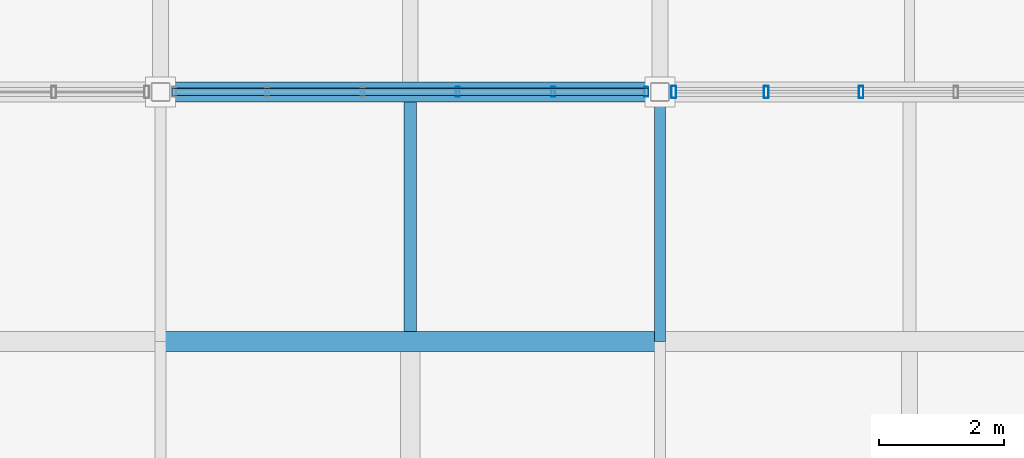
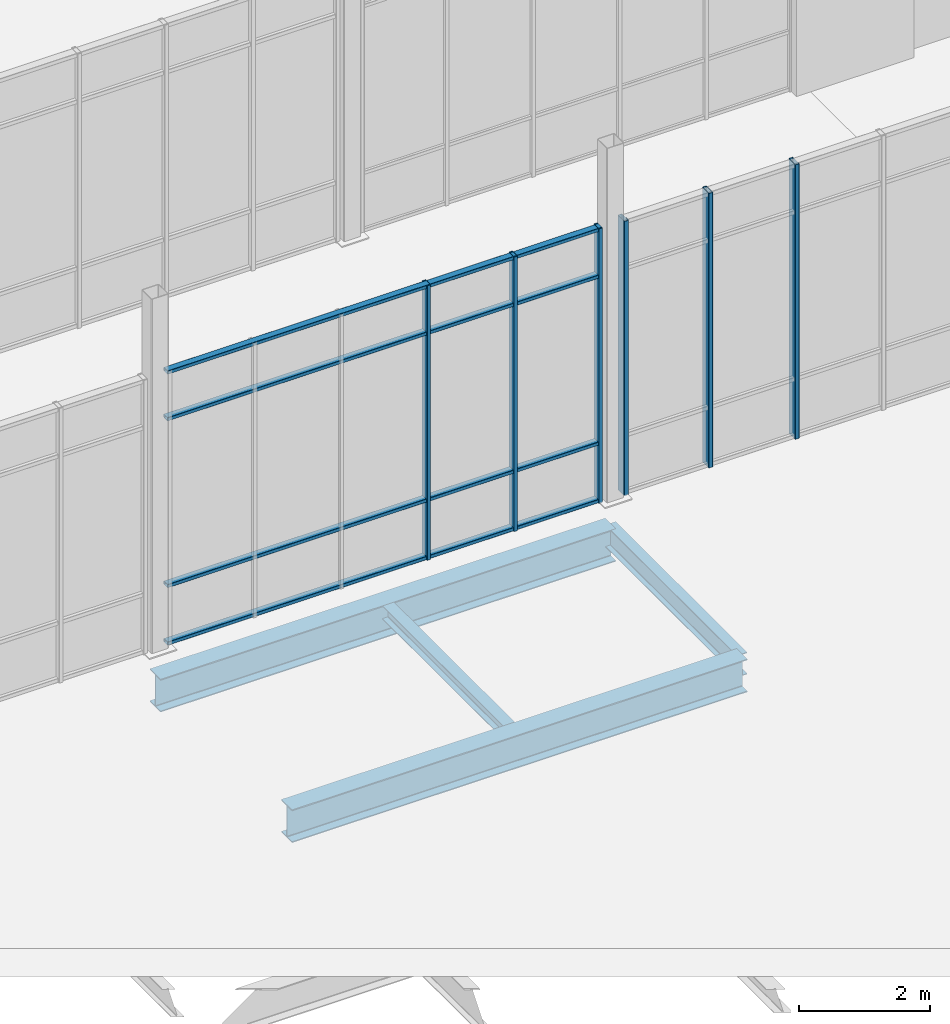
# One storey, part 50 of 140: 10 members, 4 beams, 2 elements without a shape of their own.
"""IFC4 building model written with IfcOpenShell, lengths in metres."""

from ifc_helpers import new_model, si_unit, direction, frame, origin, origin_2d, place, context, subcontext, project, spatial, hollow_rectangle, i_section, extrude, material, material_profile, profile_set, type_object, element, aggregate, save


model = new_model("IFC4")

# Units and contexts
model_context = context("Model", 3, precision=1e-05, world=origin(), true_north=direction((0.0, 1.0)))
body_context = subcontext(model_context, "Body", "Model", "MODEL_VIEW")
ifc_project = project(units=[si_unit("LENGTHUNIT", "METRE"), si_unit("AREAUNIT", "SQUARE_METRE"), si_unit("VOLUMEUNIT", "CUBIC_METRE"), si_unit("PLANEANGLEUNIT", "RADIAN"), si_unit("MASSUNIT", "GRAM", prefix="KILO")], contexts=[model_context])

# Site, building, storey
site_placement = place(None, origin())
site = spatial("IfcSite", under=ifc_project, at=site_placement, CompositionType="ELEMENT")
building_placement = place(site_placement, origin())
building = spatial("IfcBuilding", under=site, at=building_placement, Name="Verrall Gate Interchange", CompositionType="ELEMENT")
storey_placement = place(building_placement, origin())
storey = spatial("IfcBuildingStorey", under=building, at=storey_placement, Name="L01", CompositionType="ELEMENT", Elevation=0.0)

# Beams
ifc_material_1 = material(Name="Structural Steel CSA G40.21 350WT Cat 4", Category="steel")
ifc_material_profile_1 = material_profile(ifc_material_1, i_section(OverallWidth=0.323974609375, OverallDepth=0.611083984375, WebThickness=0.0126953125, FlangeThickness=0.01904296875, FilletRadius=0.014892578125, at=origin_2d()), Name="W610x155")
ifc_profile_set_1 = profile_set([ifc_material_profile_1], Name="Structural Steel CSA G40.21 350WT Cat 4")
beam_type_1 = type_object("IfcBeamType", Name="B-08 Structural Beam W610x155", PredefinedType="BEAM", material=ifc_profile_set_1)
for number, where, z_axis, x_axis, name in (
    (1, (116.0, 44.0, -0.805419921875), (1.0, 0.0, 0.0), (0.0, 1.0, 0.0), "L01 Girder BM-L01-0902 (B-08)"),
    (2, (116.0, 48.0, -0.805419921875), (1.0, 0.0, 0.0), (0.0, 1.0, 0.0), "L01 Girder BM-L01-0927 (B-08)"),
):
    element("IfcBeam", number, at=place(storey_placement, frame(where, z_axis=z_axis, x_axis=x_axis)), inside=storey, type_object=beam_type_1, Name=name, PredefinedType="BEAM", context=body_context, shape_type="SweptSolid", body=[
        extrude(i_section(OverallWidth=0.323974609375, OverallDepth=0.611083984375, WebThickness=0.0126953125, FlangeThickness=0.01904296875, FilletRadius=0.014892578125, at=origin_2d()), origin(), (0.0, 0.0, 1.0), 8.0),
    ])
ifc_material_2 = material(Name="Structural Steel CSA G40.21 350W", Category="steel")
ifc_material_profile_2 = material_profile(ifc_material_2, i_section(OverallWidth=0.178955078125, OverallDepth=0.409912109375, WebThickness=0.0087890625, FlangeThickness=0.014404296875, FilletRadius=0.011962890625, at=origin_2d()), Name="W410x67")
ifc_profile_set_2 = profile_set([ifc_material_profile_2], Name="Structural Steel CSA G40.21 350W")
beam_type_2 = type_object("IfcBeamType", Name="B-12 Structural Beam W410x67", PredefinedType="BEAM", material=ifc_profile_set_2)
beam_1_placement = place(storey_placement, frame((124.0, 44.0, -0.705078125), z_axis=(0.0, 1.0, 0.0), x_axis=(-1.0, 0.0, 0.0)))
element("IfcBeam", 3, at=beam_1_placement, inside=storey, type_object=beam_type_2, Name="L01 Girder BM-L01-1193 (B-12)", PredefinedType="BEAM", context=body_context, shape_type="SweptSolid", body=[
    extrude(i_section(OverallWidth=0.178955078125, OverallDepth=0.409912109375, WebThickness=0.0087890625, FlangeThickness=0.014404296875, FilletRadius=0.011962890625, at=origin_2d()), origin(), (0.0, 0.0, 1.0), 4.0),
])

# Curtain wall, members
ifc_material_3 = material(Name="Thermally Broken Anodized Aluminium Curtain Wall Framing", Category="aluminium")
curtain_wall_type = type_object("IfcCurtainWallType", Name="CW-06 Unitized Curtain Wall 7631x5100", PredefinedType="NOTDEFINED", material=ifc_material_3)
curtain_wall_1_placement = place(storey_placement, origin())
curtain_wall_1 = element("IfcCurtainWall", 4, at=curtain_wall_1_placement, inside=storey, type_object=curtain_wall_type, Name="L01 Unitized Curtain Wall CW-L01-010", PredefinedType="NOTDEFINED")
ifc_material_4 = material(Name="Thermally Broken Anodized Aluminium Curtain Wall Framing", Category="aluminium")
ifc_material_profile_3 = material_profile(ifc_material_4, hollow_rectangle(XDim=0.06494140625, YDim=0.159912109375, WallThickness=0.00390625, InnerFilletRadius=0.00390625, OuterFilletRadius=0.008056640625, at=origin_2d()), Name="CWM160x65x4")
ifc_profile_set_3 = profile_set([ifc_material_profile_3], Name="Thermally Broken Anodized Aluminium Curtain Wall Framing")
member_type_1 = type_object("IfcMemberType", Name="CM-01 Curtain Mullion CWM160x65x4", PredefinedType="MULLION", material=ifc_profile_set_3)
member_1_placement = place(storey_placement, frame((120.76318359375, 48.0, 0.0), z_axis=(0.0, 0.0, 1.0), x_axis=(1.0, 0.0, 0.0)))
member_1 = element("IfcMember", 5, at=member_1_placement, type_object=member_type_1, Name="CW-L01-010 Mullion 4", PredefinedType="MULLION", context=body_context, shape_type="SweptSolid", body=[
    extrude(hollow_rectangle(XDim=0.06494140625, YDim=0.159912109375, WallThickness=0.00390625, InnerFilletRadius=0.00390625, OuterFilletRadius=0.008056640625, at=origin_2d()), origin(), (0.0, 0.0, 1.0), 5.10009765625),
])
member_2_placement = place(storey_placement, frame((122.289306640625, 48.0, 0.0), z_axis=(0.0, 0.0, 1.0), x_axis=(1.0, 0.0, 0.0)))
member_2 = element("IfcMember", 6, at=member_2_placement, type_object=member_type_1, Name="CW-L01-010 Mullion 5", PredefinedType="MULLION", context=body_context, shape_type="SweptSolid", body=[
    extrude(hollow_rectangle(XDim=0.06494140625, YDim=0.159912109375, WallThickness=0.00390625, InnerFilletRadius=0.00390625, OuterFilletRadius=0.008056640625, at=origin_2d()), origin(), (0.0, 0.0, 1.0), 5.10009765625),
])
member_3_placement = place(storey_placement, frame((123.782958984375, 48.0, 0.0), z_axis=(0.0, 0.0, 1.0), x_axis=(1.0, 0.0, 0.0)))
member_3 = element("IfcMember", 7, at=member_3_placement, type_object=member_type_1, Name="CW-L01-010 Mullion 6", PredefinedType="MULLION", context=body_context, shape_type="SweptSolid", body=[
    extrude(hollow_rectangle(XDim=0.06494140625, YDim=0.159912109375, WallThickness=0.00390625, InnerFilletRadius=0.00390625, OuterFilletRadius=0.008056640625, at=origin_2d()), origin(), (0.0, 0.0, 1.0), 5.10009765625),
])

curtain_wall_2_placement = place(storey_placement, origin())
curtain_wall_2 = element("IfcCurtainWall", 8, at=curtain_wall_2_placement, inside=storey, type_object=curtain_wall_type, Name="L01 Unitized Curtain Wall CW-L01-011", PredefinedType="NOTDEFINED")
ifc_material_5 = material(Name="Thermally Broken Anodized Aluminium Curtain Wall Framing", Category="aluminium")
ifc_material_profile_4 = material_profile(ifc_material_5, hollow_rectangle(XDim=0.074951171875, YDim=0.199951171875, WallThickness=0.0048828125, InnerFilletRadius=0.0048828125, OuterFilletRadius=0.010009765625, at=origin_2d()), Name="CWM200x75x5")
ifc_profile_set_4 = profile_set([ifc_material_profile_4], Name="Thermally Broken Anodized Aluminium Curtain Wall Framing")
member_type_2 = type_object("IfcMemberType", Name="CM-02 Curtain Mullion CWM200x75x5", PredefinedType="MULLION", material=ifc_profile_set_4)
member_4_placement = place(storey_placement, frame((124.221923828125, 48.0, 0.0), z_axis=(0.0, 0.0, 1.0), x_axis=(1.0, 0.0, 0.0)))
member_4 = element("IfcMember", 9, at=member_4_placement, type_object=member_type_2, Name="CW-L01-011 Mullion 1", PredefinedType="MULLION", context=body_context, shape_type="SweptSolid", body=[
    extrude(hollow_rectangle(XDim=0.074951171875, YDim=0.199951171875, WallThickness=0.0048828125, InnerFilletRadius=0.0048828125, OuterFilletRadius=0.010009765625, at=origin_2d()), origin(), (0.0, 0.0, 1.0), 5.10009765625),
])
member_5_placement = place(storey_placement, frame((125.704345703125, 48.0, 0.0), z_axis=(0.0, 0.0, 1.0), x_axis=(1.0, 0.0, 0.0)))
member_5 = element("IfcMember", 10, at=member_5_placement, type_object=member_type_2, Name="CW-L01-011 Mullion 2", PredefinedType="MULLION", context=body_context, shape_type="SweptSolid", body=[
    extrude(hollow_rectangle(XDim=0.074951171875, YDim=0.199951171875, WallThickness=0.0048828125, InnerFilletRadius=0.0048828125, OuterFilletRadius=0.010009765625, at=origin_2d()), origin(), (0.0, 0.0, 1.0), 5.10009765625),
])
member_6_placement = place(storey_placement, frame((127.22412109375, 48.0, 0.0), z_axis=(0.0, 0.0, 1.0), x_axis=(1.0, 0.0, 0.0)))
member_6 = element("IfcMember", 11, at=member_6_placement, type_object=member_type_2, Name="CW-L01-011 Mullion 3", PredefinedType="MULLION", context=body_context, shape_type="SweptSolid", body=[
    extrude(hollow_rectangle(XDim=0.074951171875, YDim=0.199951171875, WallThickness=0.0048828125, InnerFilletRadius=0.0048828125, OuterFilletRadius=0.010009765625, at=origin_2d()), origin(), (0.0, 0.0, 1.0), 5.10009765625),
])
aggregate(curtain_wall_2, [member_4, member_5, member_6])

# Member
ifc_material_6 = material(Name="Thermally Broken Anodized Aluminium Curtain Wall Framing", Category="aluminium")
ifc_material_profile_5 = material_profile(ifc_material_6, hollow_rectangle(XDim=0.1201171875, YDim=0.06494140625, WallThickness=0.00390625, InnerFilletRadius=0.00390625, OuterFilletRadius=0.008056640625, at=origin_2d()), Name="CWT120x65x4")
ifc_profile_set_5 = profile_set([ifc_material_profile_5], Name="Thermally Broken Anodized Aluminium Curtain Wall Framing")
member_type_3 = type_object("IfcMemberType", Name="CT-01 Curtain Transom CWT120x65x4", PredefinedType="USERDEFINED", material=ifc_profile_set_5)
member_7_placement = place(storey_placement, frame((116.1845703125, 48.0, 0.032470703125), z_axis=(1.0, 0.0, 0.0), x_axis=(0.0, 1.0, 0.0)))
member_7 = element("IfcMember", 12, at=member_7_placement, type_object=member_type_3, Name="CW-L01-010 Transom 1", ObjectType="TRANSOM", PredefinedType="USERDEFINED", context=body_context, shape_type="SweptSolid", body=[
    extrude(hollow_rectangle(XDim=0.1201171875, YDim=0.06494140625, WallThickness=0.00390625, InnerFilletRadius=0.00390625, OuterFilletRadius=0.008056640625, at=origin_2d()), origin(), (0.0, 0.0, 1.0), 7.630859375),
])

member_8_placement = place(storey_placement, frame((116.1845703125, 48.0, 1.10009765625), z_axis=(1.0, 0.0, 0.0), x_axis=(0.0, 1.0, 0.0)))
member_8 = element("IfcMember", 13, at=member_8_placement, type_object=member_type_3, Name="CW-L01-010 Transom 2", ObjectType="TRANSOM", PredefinedType="USERDEFINED", context=body_context, shape_type="SweptSolid", body=[
    extrude(hollow_rectangle(XDim=0.1201171875, YDim=0.06494140625, WallThickness=0.00390625, InnerFilletRadius=0.00390625, OuterFilletRadius=0.008056640625, at=origin_2d()), origin(), (0.0, 0.0, 1.0), 7.630859375),
])

member_9_placement = place(storey_placement, frame((116.1845703125, 48.0, 4.199951171875), z_axis=(1.0, 0.0, 0.0), x_axis=(0.0, 1.0, 0.0)))
member_9 = element("IfcMember", 14, at=member_9_placement, type_object=member_type_3, Name="CW-L01-010 Transom 3", ObjectType="TRANSOM", PredefinedType="USERDEFINED", context=body_context, shape_type="SweptSolid", body=[
    extrude(hollow_rectangle(XDim=0.1201171875, YDim=0.06494140625, WallThickness=0.00390625, InnerFilletRadius=0.00390625, OuterFilletRadius=0.008056640625, at=origin_2d()), origin(), (0.0, 0.0, 1.0), 7.630859375),
])

member_10_placement = place(storey_placement, frame((116.1845703125, 48.0, 5.0673828125), z_axis=(1.0, 0.0, 0.0), x_axis=(0.0, 1.0, 0.0)))
member_10 = element("IfcMember", 15, at=member_10_placement, type_object=member_type_3, Name="CW-L01-010 Transom 4", ObjectType="TRANSOM", PredefinedType="USERDEFINED", context=body_context, shape_type="SweptSolid", body=[
    extrude(hollow_rectangle(XDim=0.1201171875, YDim=0.06494140625, WallThickness=0.00390625, InnerFilletRadius=0.00390625, OuterFilletRadius=0.008056640625, at=origin_2d()), origin(), (0.0, 0.0, 1.0), 7.630859375),
])

aggregate(curtain_wall_1, [member_1, member_2, member_3, member_7, member_8, member_9, member_10])

# Beam
ifc_material_7 = material(Name="Structural Steel CSA G40.21 350W", Category="steel")
ifc_material_profile_6 = material_profile(ifc_material_7, i_section(OverallWidth=0.201904296875, OverallDepth=0.2470703125, WebThickness=0.00732421875, FlangeThickness=0.010986328125, FilletRadius=0.010986328125, at=origin_2d()), Name="W250x49")
ifc_profile_set_6 = profile_set([ifc_material_profile_6], Name="Structural Steel CSA G40.21 350W")
beam_type_3 = type_object("IfcBeamType", Name="J-06 Floor Joist W250x49", PredefinedType="JOIST", material=ifc_profile_set_6)
beam_2_placement = place(storey_placement, frame((120.0, 44.162109375, -0.62353515625), z_axis=(0.0, 1.0, 0.0), x_axis=(-1.0, 0.0, 0.0)))
element("IfcBeam", 16, at=beam_2_placement, inside=storey, type_object=beam_type_3, Name="L01 Secondary Floor Joist JST-L01-1392", PredefinedType="JOIST", context=body_context, shape_type="SweptSolid", body=[
    extrude(i_section(OverallWidth=0.201904296875, OverallDepth=0.2470703125, WebThickness=0.00732421875, FlangeThickness=0.010986328125, FilletRadius=0.010986328125, at=origin_2d()), origin(), (0.0, 0.0, 1.0), 3.67578125),
])

save(model, "model.ifc")
